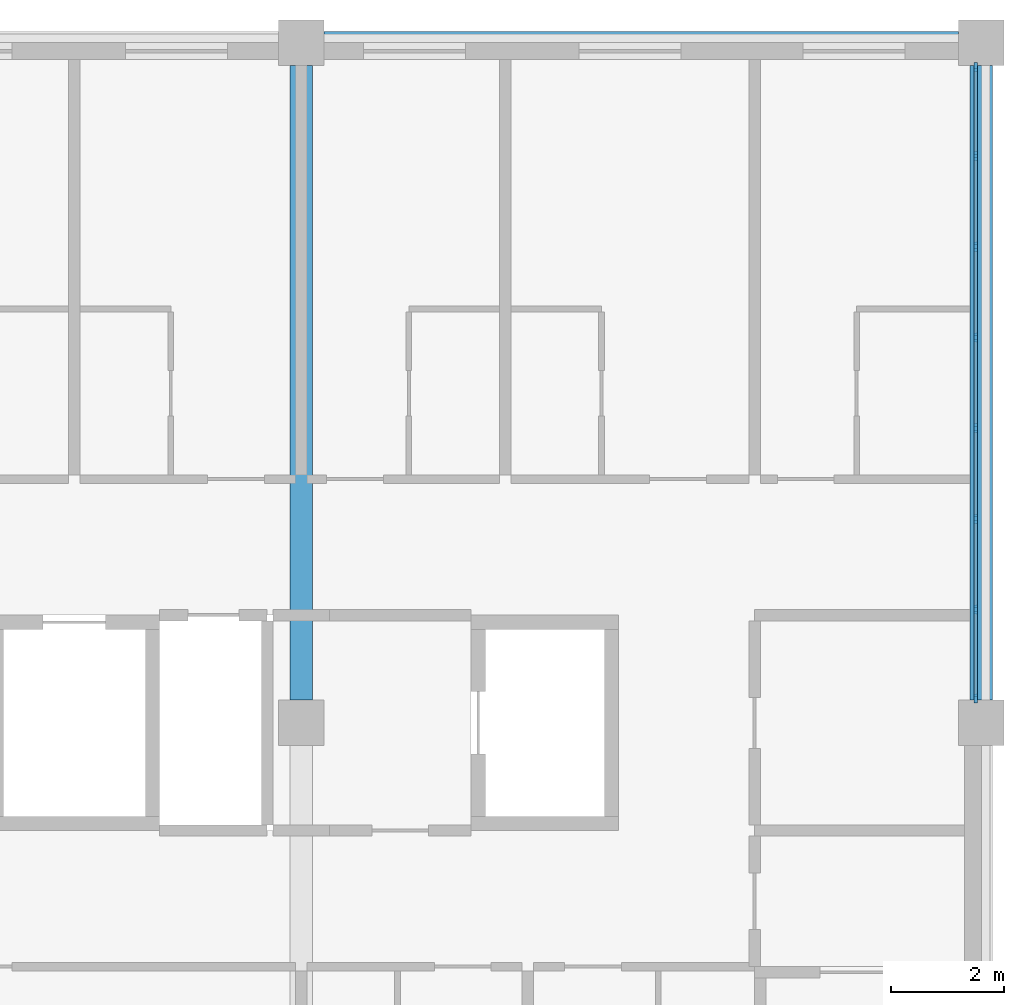
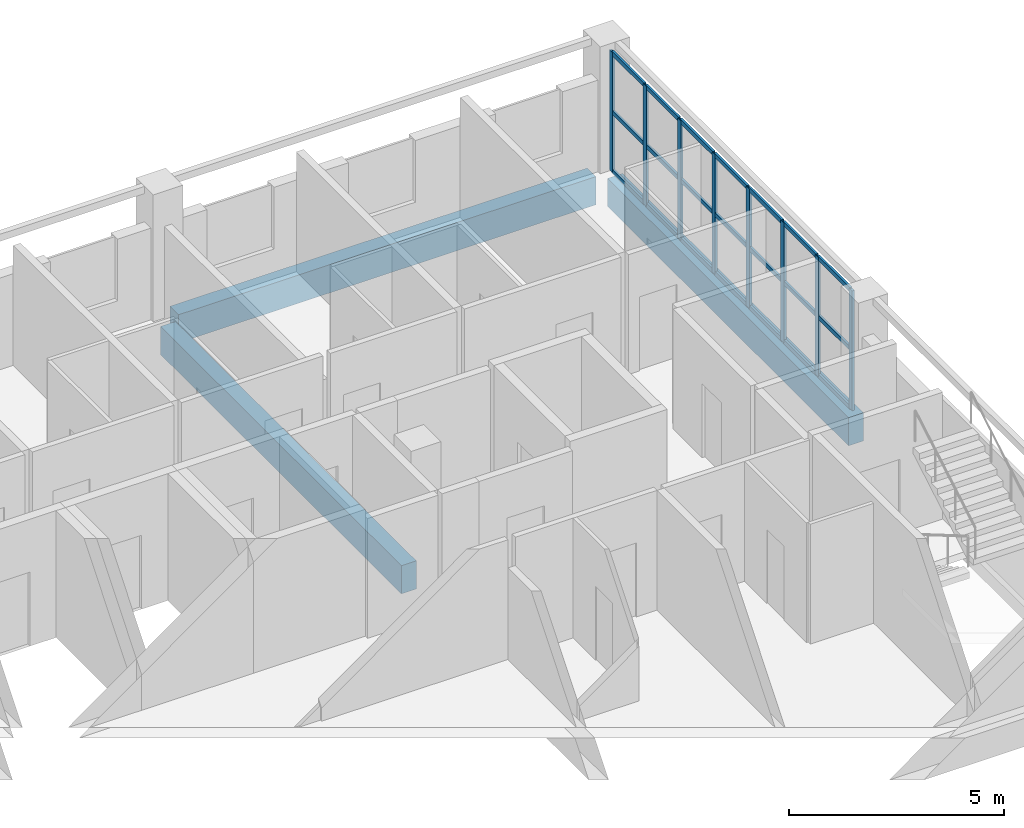
# One storey, part 4 of 11: 29 members, 3 beams, 1 element without a shape of its own.
"""IFC4 building model written with IfcOpenShell, lengths in metres."""

from ifc_helpers import new_model, si_unit, direction, frame, origin, origin_2d, place, context, subcontext, project, spatial, rectangle, extrude, material, layer, layer_set, material_profile, profile_set, type_object, element, aggregate, save


model = new_model("IFC4")

# Units and contexts
model_context = context("Model", 3, precision=1e-05, world=origin(), true_north=direction((0.0, 1.0)))
body_context = subcontext(model_context, "Body", "Model", "MODEL_VIEW")
ifc_project = project(units=[si_unit("LENGTHUNIT", "METRE"), si_unit("AREAUNIT", "SQUARE_METRE"), si_unit("VOLUMEUNIT", "CUBIC_METRE"), si_unit("PLANEANGLEUNIT", "RADIAN"), si_unit("MASSUNIT", "GRAM", prefix="KILO")], contexts=[model_context])

# Site, building, storey
site_placement = place(None, origin())
site = spatial("IfcSite", under=ifc_project, at=site_placement, CompositionType="ELEMENT")
building_placement = place(site_placement, origin())
building = spatial("IfcBuilding", under=site, at=building_placement, Name="Lilac Gate Convention Centre", CompositionType="ELEMENT")
storey_placement = place(building_placement, frame((0.0, 0.0, 39.0)))
storey = spatial("IfcBuildingStorey", under=building, at=storey_placement, Name="L09", CompositionType="ELEMENT", Elevation=39.0)

# Curtain wall, members
ifc_material_1 = material(Name="Aluminium framed double glazing", Category="aluminium")
ifc_layer = layer(ifc_material_1, 0.199951171875)
ifc_layer_set = layer_set([ifc_layer], Name="Aluminium framed double glazing")
curtain_wall_type = type_object("IfcCurtainWallType", Name="Unitised curtain wall 1500", PredefinedType="NOTDEFINED", material=ifc_layer_set)
curtain_wall_placement = place(storey_placement, origin())
curtain_wall = element("IfcCurtainWall", 1, at=curtain_wall_placement, inside=storey, type_object=curtain_wall_type, Name="Curtain wall E L09 2", PredefinedType="NOTDEFINED")
ifc_material_2 = material(Name="Aluminium alloy 6063", Category="aluminium")
ifc_material_profile_1 = material_profile(ifc_material_2, rectangle(XDim=0.06005859375, YDim=0.159912109375, at=origin_2d()), Name="Curtain wall mullion 60 x 160")
ifc_profile_set_1 = profile_set([ifc_material_profile_1], Name="Aluminium alloy 6063")
member_type_1 = type_object("IfcMemberType", Name="Curtain wall mullion 60 x 160", PredefinedType="MULLION", material=ifc_profile_set_1)
member_1_placement = place(storey_placement, frame((89.89990234375, 234.429931640625, 0.0), z_axis=(0.0, 0.0, 1.0), x_axis=(-1.0, 0.0, 0.0)))
member_1 = element("IfcMember", 2, at=member_1_placement, type_object=member_type_1, Name="CW mullion 1", PredefinedType="MULLION", context=body_context, shape_type="SweptSolid", body=[
    extrude(rectangle(XDim=0.06005859375, YDim=0.159912109375, at=origin_2d()), origin(), (0.0, 0.0, 1.0), 3.39990234375),
])
member_2_placement = place(storey_placement, frame((89.89990234375, 236.0, 0.0), z_axis=(0.0, 0.0, 1.0), x_axis=(-1.0, 0.0, 0.0)))
member_2 = element("IfcMember", 3, at=member_2_placement, type_object=member_type_1, Name="CW mullion 2", PredefinedType="MULLION", context=body_context, shape_type="SweptSolid", body=[
    extrude(rectangle(XDim=0.06005859375, YDim=0.159912109375, at=origin_2d()), origin(), (0.0, 0.0, 1.0), 3.39990234375),
])
member_3_placement = place(storey_placement, frame((89.89990234375, 237.599853515625, 0.0), z_axis=(0.0, 0.0, 1.0), x_axis=(-1.0, 0.0, 0.0)))
member_3 = element("IfcMember", 4, at=member_3_placement, type_object=member_type_1, Name="CW mullion 3", PredefinedType="MULLION", context=body_context, shape_type="SweptSolid", body=[
    extrude(rectangle(XDim=0.06005859375, YDim=0.159912109375, at=origin_2d()), origin(), (0.0, 0.0, 1.0), 3.39990234375),
])
member_4_placement = place(storey_placement, frame((89.89990234375, 239.199951171875, 0.0), z_axis=(0.0, 0.0, 1.0), x_axis=(-1.0, 0.0, 0.0)))
member_4 = element("IfcMember", 5, at=member_4_placement, type_object=member_type_1, Name="CW mullion 4", PredefinedType="MULLION", context=body_context, shape_type="SweptSolid", body=[
    extrude(rectangle(XDim=0.06005859375, YDim=0.159912109375, at=origin_2d()), origin(), (0.0, 0.0, 1.0), 3.39990234375),
])
member_5_placement = place(storey_placement, frame((89.89990234375, 240.800048828125, 0.0), z_axis=(0.0, 0.0, 1.0), x_axis=(-1.0, 0.0, 0.0)))
member_5 = element("IfcMember", 6, at=member_5_placement, type_object=member_type_1, Name="CW mullion 5", PredefinedType="MULLION", context=body_context, shape_type="SweptSolid", body=[
    extrude(rectangle(XDim=0.06005859375, YDim=0.159912109375, at=origin_2d()), origin(), (0.0, 0.0, 1.0), 3.39990234375),
])
member_6_placement = place(storey_placement, frame((89.89990234375, 242.400146484375, 0.0), z_axis=(0.0, 0.0, 1.0), x_axis=(-1.0, 0.0, 0.0)))
member_6 = element("IfcMember", 7, at=member_6_placement, type_object=member_type_1, Name="CW mullion 6", PredefinedType="MULLION", context=body_context, shape_type="SweptSolid", body=[
    extrude(rectangle(XDim=0.06005859375, YDim=0.159912109375, at=origin_2d()), origin(), (0.0, 0.0, 1.0), 3.39990234375),
])
member_7_placement = place(storey_placement, frame((89.89990234375, 244.0, 0.0), z_axis=(0.0, 0.0, 1.0), x_axis=(-1.0, 0.0, 0.0)))
member_7 = element("IfcMember", 8, at=member_7_placement, type_object=member_type_1, Name="CW mullion 7", PredefinedType="MULLION", context=body_context, shape_type="SweptSolid", body=[
    extrude(rectangle(XDim=0.06005859375, YDim=0.159912109375, at=origin_2d()), origin(), (0.0, 0.0, 1.0), 3.39990234375),
])
member_8_placement = place(storey_placement, frame((89.89990234375, 245.570068359375, 0.0), z_axis=(0.0, 0.0, 1.0), x_axis=(-1.0, 0.0, 0.0)))
member_8 = element("IfcMember", 9, at=member_8_placement, type_object=member_type_1, Name="CW mullion 8", PredefinedType="MULLION", context=body_context, shape_type="SweptSolid", body=[
    extrude(rectangle(XDim=0.06005859375, YDim=0.159912109375, at=origin_2d()), origin(), (0.0, 0.0, 1.0), 3.39990234375),
])
ifc_material_profile_2 = material_profile(ifc_material_2, rectangle(XDim=0.06005859375, YDim=0.1201171875, at=origin_2d()), Name="Curtain wall transom 60 x 120")
ifc_profile_set_2 = profile_set([ifc_material_profile_2], Name="Aluminium alloy 6063")
member_type_2 = type_object("IfcMemberType", Name="Curtain wall transom 60 x 120", PredefinedType="USERDEFINED", material=ifc_profile_set_2)
member_9_placement = place(storey_placement, frame((89.89990234375, 234.4599609375, 0.030029296875), z_axis=(0.0, 1.0, 0.0), x_axis=(-1.0, 0.0, 0.0)))
member_9 = element("IfcMember", 10, at=member_9_placement, type_object=member_type_2, Name="CW transom 1.1", ObjectType="TRANSOM", PredefinedType="USERDEFINED", context=body_context, shape_type="SweptSolid", body=[
    extrude(rectangle(XDim=0.06005859375, YDim=0.1201171875, at=origin_2d()), origin(), (0.0, 0.0, 1.0), 1.510009765625),
])
member_10_placement = place(storey_placement, frame((89.89990234375, 234.4599609375, 1.699951171875), z_axis=(0.0, 1.0, 0.0), x_axis=(-1.0, 0.0, 0.0)))
member_10 = element("IfcMember", 11, at=member_10_placement, type_object=member_type_2, Name="CW transom 1.2", ObjectType="TRANSOM", PredefinedType="USERDEFINED", context=body_context, shape_type="SweptSolid", body=[
    extrude(rectangle(XDim=0.06005859375, YDim=0.1201171875, at=origin_2d()), origin(), (0.0, 0.0, 1.0), 1.510009765625),
])
member_11_placement = place(storey_placement, frame((89.89990234375, 234.4599609375, 3.369873046875), z_axis=(0.0, 1.0, 0.0), x_axis=(-1.0, 0.0, 0.0)))
member_11 = element("IfcMember", 12, at=member_11_placement, type_object=member_type_2, Name="CW transom 1.3", ObjectType="TRANSOM", PredefinedType="USERDEFINED", context=body_context, shape_type="SweptSolid", body=[
    extrude(rectangle(XDim=0.06005859375, YDim=0.1201171875, at=origin_2d()), origin(), (0.0, 0.0, 1.0), 1.510009765625),
])
member_12_placement = place(storey_placement, frame((89.89990234375, 236.030029296875, 0.030029296875), z_axis=(0.0, 1.0, 0.0), x_axis=(-1.0, 0.0, 0.0)))
member_12 = element("IfcMember", 13, at=member_12_placement, type_object=member_type_2, Name="CW transom 2.1", ObjectType="TRANSOM", PredefinedType="USERDEFINED", context=body_context, shape_type="SweptSolid", body=[
    extrude(rectangle(XDim=0.06005859375, YDim=0.1201171875, at=origin_2d()), origin(), (0.0, 0.0, 1.0), 1.5400390625),
])
member_13_placement = place(storey_placement, frame((89.89990234375, 236.030029296875, 1.699951171875), z_axis=(0.0, 1.0, 0.0), x_axis=(-1.0, 0.0, 0.0)))
member_13 = element("IfcMember", 14, at=member_13_placement, type_object=member_type_2, Name="CW transom 2.2", ObjectType="TRANSOM", PredefinedType="USERDEFINED", context=body_context, shape_type="SweptSolid", body=[
    extrude(rectangle(XDim=0.06005859375, YDim=0.1201171875, at=origin_2d()), origin(), (0.0, 0.0, 1.0), 1.5400390625),
])
member_14_placement = place(storey_placement, frame((89.89990234375, 236.030029296875, 3.369873046875), z_axis=(0.0, 1.0, 0.0), x_axis=(-1.0, 0.0, 0.0)))
member_14 = element("IfcMember", 15, at=member_14_placement, type_object=member_type_2, Name="CW transom 2.3", ObjectType="TRANSOM", PredefinedType="USERDEFINED", context=body_context, shape_type="SweptSolid", body=[
    extrude(rectangle(XDim=0.06005859375, YDim=0.1201171875, at=origin_2d()), origin(), (0.0, 0.0, 1.0), 1.5400390625),
])
member_15_placement = place(storey_placement, frame((89.89990234375, 237.6298828125, 0.030029296875), z_axis=(0.0, 1.0, 0.0), x_axis=(-1.0, 0.0, 0.0)))
member_15 = element("IfcMember", 16, at=member_15_placement, type_object=member_type_2, Name="CW transom 3.1", ObjectType="TRANSOM", PredefinedType="USERDEFINED", context=body_context, shape_type="SweptSolid", body=[
    extrude(rectangle(XDim=0.06005859375, YDim=0.1201171875, at=origin_2d()), origin(), (0.0, 0.0, 1.0), 1.5400390625),
])
member_16_placement = place(storey_placement, frame((89.89990234375, 237.6298828125, 1.699951171875), z_axis=(0.0, 1.0, 0.0), x_axis=(-1.0, 0.0, 0.0)))
member_16 = element("IfcMember", 17, at=member_16_placement, type_object=member_type_2, Name="CW transom 3.2", ObjectType="TRANSOM", PredefinedType="USERDEFINED", context=body_context, shape_type="SweptSolid", body=[
    extrude(rectangle(XDim=0.06005859375, YDim=0.1201171875, at=origin_2d()), origin(), (0.0, 0.0, 1.0), 1.5400390625),
])
member_17_placement = place(storey_placement, frame((89.89990234375, 237.6298828125, 3.369873046875), z_axis=(0.0, 1.0, 0.0), x_axis=(-1.0, 0.0, 0.0)))
member_17 = element("IfcMember", 18, at=member_17_placement, type_object=member_type_2, Name="CW transom 3.3", ObjectType="TRANSOM", PredefinedType="USERDEFINED", context=body_context, shape_type="SweptSolid", body=[
    extrude(rectangle(XDim=0.06005859375, YDim=0.1201171875, at=origin_2d()), origin(), (0.0, 0.0, 1.0), 1.5400390625),
])
member_18_placement = place(storey_placement, frame((89.89990234375, 239.22998046875, 0.030029296875), z_axis=(0.0, 1.0, 0.0), x_axis=(-1.0, 0.0, 0.0)))
member_18 = element("IfcMember", 19, at=member_18_placement, type_object=member_type_2, Name="CW transom 4.1", ObjectType="TRANSOM", PredefinedType="USERDEFINED", context=body_context, shape_type="SweptSolid", body=[
    extrude(rectangle(XDim=0.06005859375, YDim=0.1201171875, at=origin_2d()), origin(), (0.0, 0.0, 1.0), 1.5400390625),
])
member_19_placement = place(storey_placement, frame((89.89990234375, 239.22998046875, 1.699951171875), z_axis=(0.0, 1.0, 0.0), x_axis=(-1.0, 0.0, 0.0)))
member_19 = element("IfcMember", 20, at=member_19_placement, type_object=member_type_2, Name="CW transom 4.2", ObjectType="TRANSOM", PredefinedType="USERDEFINED", context=body_context, shape_type="SweptSolid", body=[
    extrude(rectangle(XDim=0.06005859375, YDim=0.1201171875, at=origin_2d()), origin(), (0.0, 0.0, 1.0), 1.5400390625),
])
member_20_placement = place(storey_placement, frame((89.89990234375, 239.22998046875, 3.369873046875), z_axis=(0.0, 1.0, 0.0), x_axis=(-1.0, 0.0, 0.0)))
member_20 = element("IfcMember", 21, at=member_20_placement, type_object=member_type_2, Name="CW transom 4.3", ObjectType="TRANSOM", PredefinedType="USERDEFINED", context=body_context, shape_type="SweptSolid", body=[
    extrude(rectangle(XDim=0.06005859375, YDim=0.1201171875, at=origin_2d()), origin(), (0.0, 0.0, 1.0), 1.5400390625),
])
member_21_placement = place(storey_placement, frame((89.89990234375, 240.830078125, 0.030029296875), z_axis=(0.0, 1.0, 0.0), x_axis=(-1.0, 0.0, 0.0)))
member_21 = element("IfcMember", 22, at=member_21_placement, type_object=member_type_2, Name="CW transom 5.1", ObjectType="TRANSOM", PredefinedType="USERDEFINED", context=body_context, shape_type="SweptSolid", body=[
    extrude(rectangle(XDim=0.06005859375, YDim=0.1201171875, at=origin_2d()), origin(), (0.0, 0.0, 1.0), 1.5400390625),
])
member_22_placement = place(storey_placement, frame((89.89990234375, 240.830078125, 1.699951171875), z_axis=(0.0, 1.0, 0.0), x_axis=(-1.0, 0.0, 0.0)))
member_22 = element("IfcMember", 23, at=member_22_placement, type_object=member_type_2, Name="CW transom 5.2", ObjectType="TRANSOM", PredefinedType="USERDEFINED", context=body_context, shape_type="SweptSolid", body=[
    extrude(rectangle(XDim=0.06005859375, YDim=0.1201171875, at=origin_2d()), origin(), (0.0, 0.0, 1.0), 1.5400390625),
])
member_23_placement = place(storey_placement, frame((89.89990234375, 240.830078125, 3.369873046875), z_axis=(0.0, 1.0, 0.0), x_axis=(-1.0, 0.0, 0.0)))
member_23 = element("IfcMember", 24, at=member_23_placement, type_object=member_type_2, Name="CW transom 5.3", ObjectType="TRANSOM", PredefinedType="USERDEFINED", context=body_context, shape_type="SweptSolid", body=[
    extrude(rectangle(XDim=0.06005859375, YDim=0.1201171875, at=origin_2d()), origin(), (0.0, 0.0, 1.0), 1.5400390625),
])
member_24_placement = place(storey_placement, frame((89.89990234375, 242.429931640625, 0.030029296875), z_axis=(0.0, 1.0, 0.0), x_axis=(-1.0, 0.0, 0.0)))
member_24 = element("IfcMember", 25, at=member_24_placement, type_object=member_type_2, Name="CW transom 6.1", ObjectType="TRANSOM", PredefinedType="USERDEFINED", context=body_context, shape_type="SweptSolid", body=[
    extrude(rectangle(XDim=0.06005859375, YDim=0.1201171875, at=origin_2d()), origin(), (0.0, 0.0, 1.0), 1.5400390625),
])
member_25_placement = place(storey_placement, frame((89.89990234375, 242.429931640625, 1.699951171875), z_axis=(0.0, 1.0, 0.0), x_axis=(-1.0, 0.0, 0.0)))
member_25 = element("IfcMember", 26, at=member_25_placement, type_object=member_type_2, Name="CW transom 6.2", ObjectType="TRANSOM", PredefinedType="USERDEFINED", context=body_context, shape_type="SweptSolid", body=[
    extrude(rectangle(XDim=0.06005859375, YDim=0.1201171875, at=origin_2d()), origin(), (0.0, 0.0, 1.0), 1.5400390625),
])
member_26_placement = place(storey_placement, frame((89.89990234375, 242.429931640625, 3.369873046875), z_axis=(0.0, 1.0, 0.0), x_axis=(-1.0, 0.0, 0.0)))
member_26 = element("IfcMember", 27, at=member_26_placement, type_object=member_type_2, Name="CW transom 6.3", ObjectType="TRANSOM", PredefinedType="USERDEFINED", context=body_context, shape_type="SweptSolid", body=[
    extrude(rectangle(XDim=0.06005859375, YDim=0.1201171875, at=origin_2d()), origin(), (0.0, 0.0, 1.0), 1.5400390625),
])
member_27_placement = place(storey_placement, frame((89.89990234375, 244.030029296875, 0.030029296875), z_axis=(0.0, 1.0, 0.0), x_axis=(-1.0, 0.0, 0.0)))
member_27 = element("IfcMember", 28, at=member_27_placement, type_object=member_type_2, Name="CW transom 7.1", ObjectType="TRANSOM", PredefinedType="USERDEFINED", context=body_context, shape_type="SweptSolid", body=[
    extrude(rectangle(XDim=0.06005859375, YDim=0.1201171875, at=origin_2d()), origin(), (0.0, 0.0, 1.0), 1.510009765625),
])
member_28_placement = place(storey_placement, frame((89.89990234375, 244.030029296875, 1.699951171875), z_axis=(0.0, 1.0, 0.0), x_axis=(-1.0, 0.0, 0.0)))
member_28 = element("IfcMember", 29, at=member_28_placement, type_object=member_type_2, Name="CW transom 7.2", ObjectType="TRANSOM", PredefinedType="USERDEFINED", context=body_context, shape_type="SweptSolid", body=[
    extrude(rectangle(XDim=0.06005859375, YDim=0.1201171875, at=origin_2d()), origin(), (0.0, 0.0, 1.0), 1.510009765625),
])
member_29_placement = place(storey_placement, frame((89.89990234375, 244.030029296875, 3.369873046875), z_axis=(0.0, 1.0, 0.0), x_axis=(-1.0, 0.0, 0.0)))
member_29 = element("IfcMember", 30, at=member_29_placement, type_object=member_type_2, Name="CW transom 7.3", ObjectType="TRANSOM", PredefinedType="USERDEFINED", context=body_context, shape_type="SweptSolid", body=[
    extrude(rectangle(XDim=0.06005859375, YDim=0.1201171875, at=origin_2d()), origin(), (0.0, 0.0, 1.0), 1.510009765625),
])
aggregate(curtain_wall, [member_1, member_2, member_3, member_4, member_5, member_6, member_7, member_8, member_9, member_10, member_11, member_12, member_13, member_14, member_15, member_16, member_17, member_18, member_19, member_20, member_21, member_22, member_23, member_24, member_25, member_26, member_27, member_28, member_29])

# Beams
ifc_material_3 = material(Name="Concrete C40", Category="concrete")
ifc_material_profile_3 = material_profile(ifc_material_3, rectangle(XDim=0.39990234375, YDim=0.800048828125, at=origin_2d()), Name="RC 400x800")
ifc_profile_set_3 = profile_set([ifc_material_profile_3], Name="Concrete C40")
beam_type = type_object("IfcBeamType", Name="Tower primary beam 400x800 C40", PredefinedType="BEAM", material=ifc_profile_set_3)
for number, where, z_axis, x_axis, name in (
    (31, (78.39990234375, 246.0, -0.60009765625), (1.0, 0.0, 0.0), (0.0, 1.0, 0.0), "RB3 L09 7/U-8/U"),
    (32, (78.0, 234.39990234375, -0.60009765625), (0.0, 1.0, 0.0), (-1.0, 0.0, 0.0), "RB3 L09 7/T-7/U"),
    (33, (90.0, 234.39990234375, -0.60009765625), (0.0, 1.0, 0.0), (-1.0, 0.0, 0.0), "RB3 L09 8/T-8/U"),
):
    element("IfcBeam", number, at=place(storey_placement, frame(where, z_axis=z_axis, x_axis=x_axis)), inside=storey, type_object=beam_type, Name=name, PredefinedType="BEAM", context=body_context, shape_type="SweptSolid", body=[
        extrude(rectangle(XDim=0.39990234375, YDim=0.800048828125, at=origin_2d()), origin(), (0.0, 0.0, 1.0), 11.2001953125),
    ])

save(model, "model.ifc")
